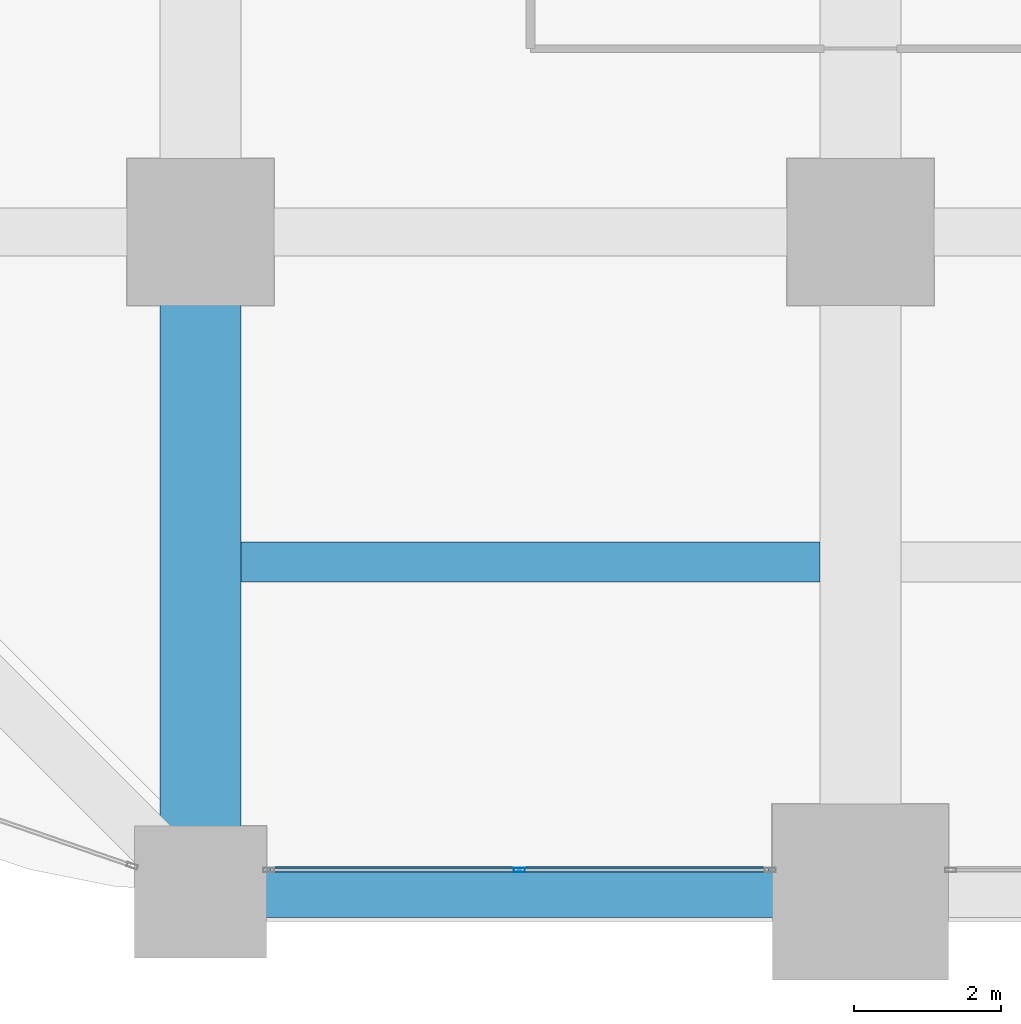
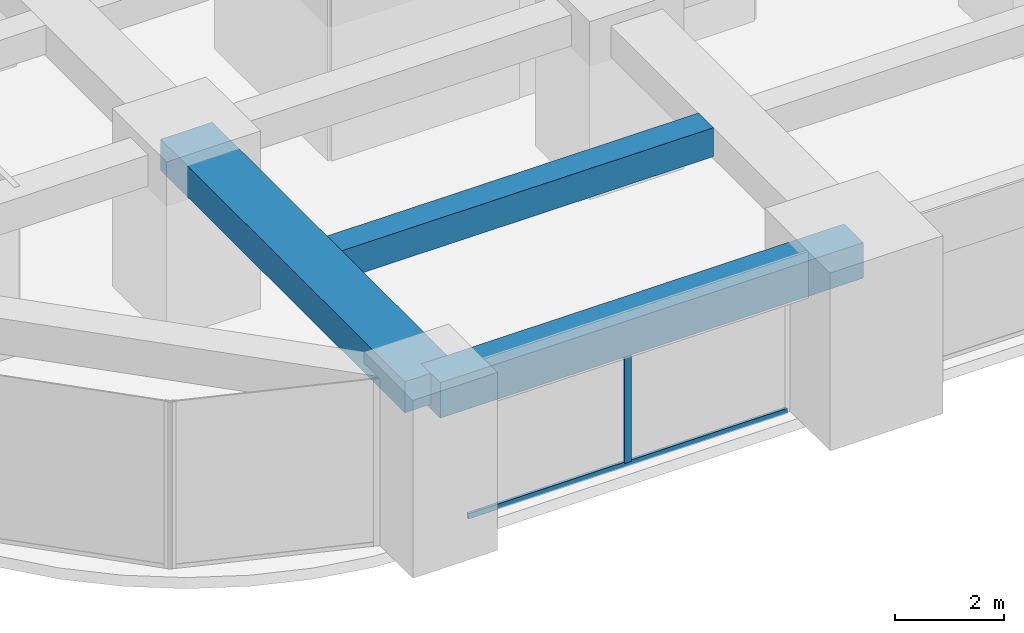
# One storey, part 3 of 41: 3 beams, 2 members, 1 element without a shape of its own.
"""IFC4 building model written with IfcOpenShell, lengths in metres."""

from ifc_helpers import new_model, si_unit, direction, frame, origin, origin_2d, place, context, subcontext, project, spatial, rectangle, hollow_rectangle, extrude, material, material_profile, profile_set, type_object, element, aggregate, save


model = new_model("IFC4")

# Units and contexts
model_context = context("Model", 3, precision=1e-05, world=origin(), true_north=direction((0.0, 1.0)))
body_context = subcontext(model_context, "Body", "Model", "MODEL_VIEW")
ifc_project = project(units=[si_unit("LENGTHUNIT", "METRE"), si_unit("AREAUNIT", "SQUARE_METRE"), si_unit("VOLUMEUNIT", "CUBIC_METRE"), si_unit("PLANEANGLEUNIT", "RADIAN"), si_unit("MASSUNIT", "GRAM", prefix="KILO")], contexts=[model_context])

# Site, building, storey
site_placement = place(None, origin())
site = spatial("IfcSite", under=ifc_project, at=site_placement, CompositionType="ELEMENT")
building_placement = place(site_placement, origin())
building = spatial("IfcBuilding", under=site, at=building_placement, Name="Zorevar Civic Tower", CompositionType="ELEMENT")
storey_placement = place(building_placement, frame((0.0, 0.0, 109.0)))
storey = spatial("IfcBuildingStorey", under=building, at=storey_placement, Name="L26", CompositionType="ELEMENT", Elevation=109.0)

# Beams
ifc_material_1 = material(Name="Concrete C50/60", Category="concrete")
ifc_material_profile_1 = material_profile(ifc_material_1, rectangle(XDim=1.10009765625, YDim=0.699951171875, at=origin_2d()), Name="RC 1100x700")
ifc_profile_set_1 = profile_set([ifc_material_profile_1], Name="Concrete C50/60")
beam_type_1 = type_object("IfcBeamType", Name="Beam RC 1100x700", PredefinedType="BEAM", material=ifc_profile_set_1)
beam_1_placement = place(storey_placement, frame((9.0, 0.0, 3.39990234375), z_axis=(0.0, 1.0, 0.0), x_axis=(-1.0, 0.0, 0.0)))
element("IfcBeam", 1, at=beam_1_placement, inside=storey, type_object=beam_type_1, Name="Girder L27", PredefinedType="BEAM", context=body_context, shape_type="SweptSolid", body=[
    extrude(rectangle(XDim=1.10009765625, YDim=0.699951171875, at=origin_2d()), origin(), (0.0, 0.0, 1.0), 9.0),
])
ifc_material_2 = material(Name="Concrete C50/60", Category="concrete")
ifc_material_profile_2 = material_profile(ifc_material_2, rectangle(XDim=0.550048828125, YDim=0.64990234375, at=origin_2d()), Name="RC 550x650")
ifc_profile_set_2 = profile_set([ifc_material_profile_2], Name="Concrete C50/60")
beam_type_2 = type_object("IfcBeamType", Name="Beam RC 550x650", PredefinedType="BEAM", material=ifc_profile_set_2)
beam_2_placement = place(storey_placement, frame((9.550048828125, 4.5, 3.425048828125), z_axis=(1.0, 0.0, 0.0), x_axis=(0.0, 1.0, 0.0)))
element("IfcBeam", 2, at=beam_2_placement, inside=storey, type_object=beam_type_2, Name="Secondary beam L27", PredefinedType="BEAM", context=body_context, shape_type="SweptSolid", body=[
    extrude(rectangle(XDim=0.550048828125, YDim=0.64990234375, at=origin_2d()), origin(), (0.0, 0.0, 1.0), 7.89990234375),
])

# Curtain wall, members
ifc_material_3 = material(Name="Dark grey solar-control glass in black aluminium frame", Category="aluminium")
curtain_wall_type = type_object("IfcCurtainWallType", Name="Curtain wall CW3 mid zone", PredefinedType="NOTDEFINED", material=ifc_material_3)
curtain_wall_placement = place(storey_placement, origin())
curtain_wall = element("IfcCurtainWall", 3, at=curtain_wall_placement, inside=storey, type_object=curtain_wall_type, Name="CW3 L26", PredefinedType="NOTDEFINED")
ifc_material_4 = material(Name="Aluminium, black anodised", Category="aluminium")
ifc_material_profile_3 = material_profile(ifc_material_4, hollow_rectangle(XDim=0.06005859375, YDim=0.14990234375, WallThickness=0.00390625, at=origin_2d()), Name="AL 150x60x4")
ifc_profile_set_3 = profile_set([ifc_material_profile_3], Name="Aluminium, black anodised")
member_type_1 = type_object("IfcMemberType", Name="CW3 mullion AL 150x60x4", PredefinedType="MULLION", material=ifc_profile_set_3)
member_1_placement = place(storey_placement, frame((13.35009765625, 0.300048828125, 0.06005859375), z_axis=(0.0, 0.0, 1.0), x_axis=(0.0, 1.0, 0.0)))
member_1 = element("IfcMember", 4, at=member_1_placement, type_object=member_type_1, Name="CW3 mullion 2", PredefinedType="MULLION", context=body_context, shape_type="SweptSolid", body=[
    extrude(hollow_rectangle(XDim=0.06005859375, YDim=0.14990234375, WallThickness=0.00390625, at=origin_2d()), origin(), (0.0, 0.0, 1.0), 2.889892578125),
])
ifc_material_5 = material(Name="Aluminium, black anodised", Category="aluminium")
ifc_material_profile_4 = material_profile(ifc_material_5, hollow_rectangle(XDim=0.06005859375, YDim=0.1201171875, WallThickness=0.0029296875, at=origin_2d()), Name="AL 120x60x3")
ifc_profile_set_4 = profile_set([ifc_material_profile_4], Name="Aluminium, black anodised")
member_type_2 = type_object("IfcMemberType", Name="CW3 transom AL 120x60x3", PredefinedType="USERDEFINED", material=ifc_profile_set_4)
member_2_placement = place(storey_placement, frame((9.9599609375, 0.300048828125, 0.030029296875), z_axis=(1.0, 0.0, 0.0), x_axis=(0.0, 1.0, 0.0)))
member_2 = element("IfcMember", 5, at=member_2_placement, type_object=member_type_2, Name="CW3 sill transom", ObjectType="TRANSOM", PredefinedType="USERDEFINED", context=body_context, shape_type="SweptSolid", body=[
    extrude(hollow_rectangle(XDim=0.06005859375, YDim=0.1201171875, WallThickness=0.0029296875, at=origin_2d()), origin(), (0.0, 0.0, 1.0), 6.780029296875),
])
aggregate(curtain_wall, [member_1, member_2])

# Beam
ifc_material_6 = material(Name="Concrete C50/60", Category="concrete")
ifc_material_profile_5 = material_profile(ifc_material_6, rectangle(XDim=0.699951171875, YDim=0.800048828125, at=origin_2d()), Name="RC 700x800")
ifc_profile_set_5 = profile_set([ifc_material_profile_5], Name="Concrete C50/60")
beam_type_3 = type_object("IfcBeamType", Name="Edge beam RC 700x800", PredefinedType="SPANDREL", material=ifc_profile_set_5)
beam_3_placement = place(storey_placement, frame((9.0, 0.0, 3.35009765625), z_axis=(1.0, 0.0, 0.0), x_axis=(0.0, 1.0, 0.0)))
element("IfcBeam", 6, at=beam_3_placement, inside=storey, type_object=beam_type_3, Name="Edge beam L27", PredefinedType="SPANDREL", context=body_context, shape_type="SweptSolid", body=[
    extrude(rectangle(XDim=0.699951171875, YDim=0.800048828125, at=origin_2d()), origin(), (0.0, 0.0, 1.0), 9.0),
])

save(model, "model.ifc")
